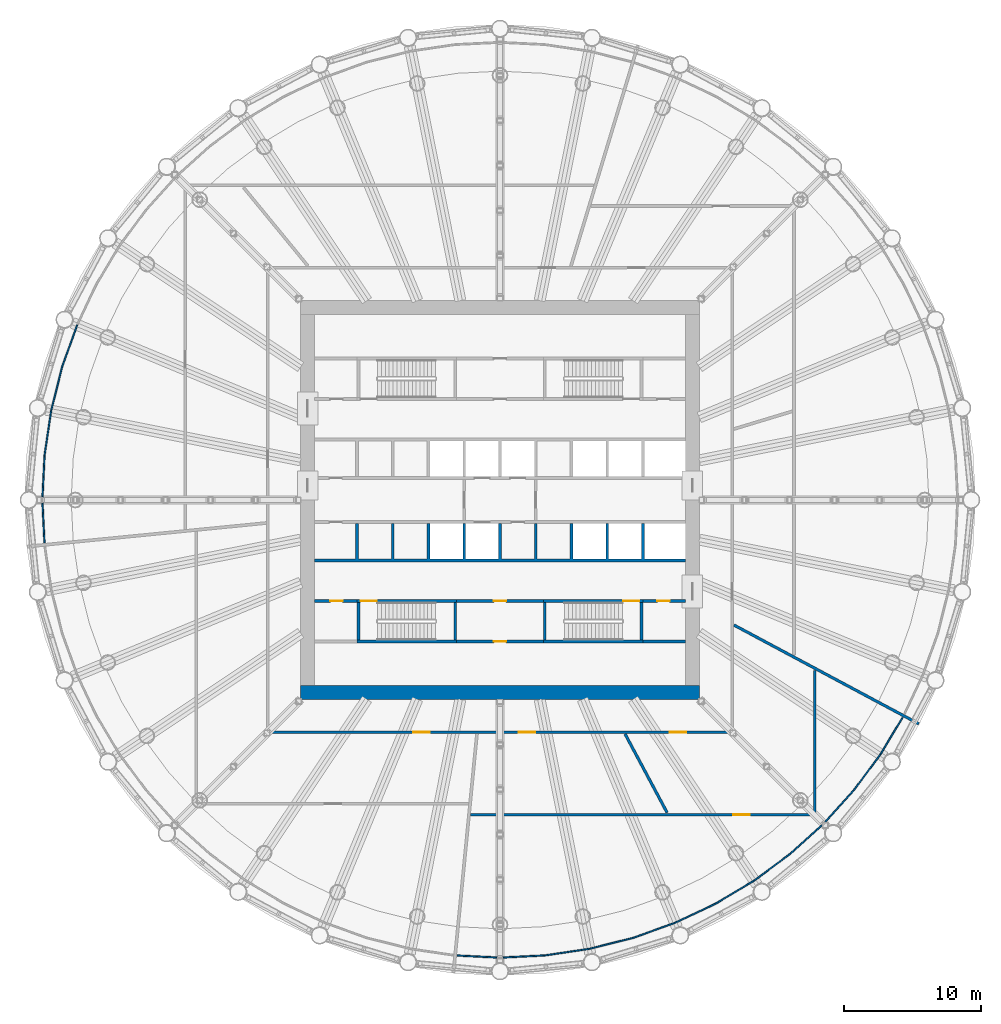
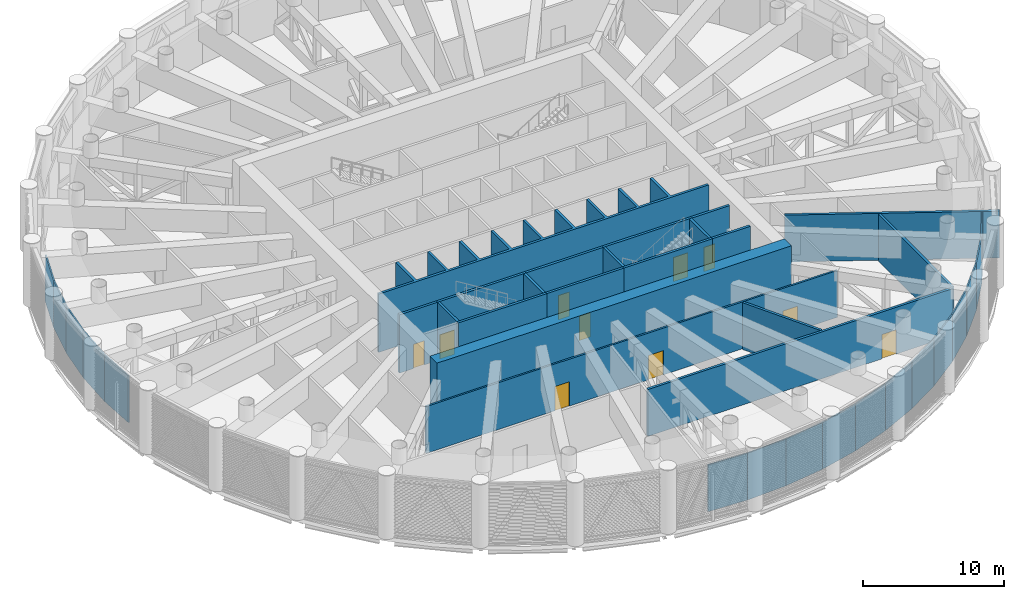
# One storey, part 12 of 29: 37 walls, 10 doors, 10 openings.
"""IFC4 building model written with IfcOpenShell, lengths in metres."""

from ifc_helpers import new_model, si_unit, direction, frame, frame_2d, origin, place, context, subcontext, project, spatial, polyline, rectangle, outline, extrude, material, layer, layer_set, type_object, element, fill, save


model = new_model("IFC4")

# Units and contexts
model_context = context("Model", 3, precision=1e-05, world=origin(), true_north=direction((0.0, 1.0)))
body_context = subcontext(model_context, "Body", "Model", "MODEL_VIEW")
ifc_project = project(units=[si_unit("LENGTHUNIT", "METRE"), si_unit("AREAUNIT", "SQUARE_METRE"), si_unit("VOLUMEUNIT", "CUBIC_METRE"), si_unit("PLANEANGLEUNIT", "RADIAN"), si_unit("MASSUNIT", "GRAM", prefix="KILO")], contexts=[model_context])

# Site, building, storey
site_placement = place(None, origin())
site = spatial("IfcSite", under=ifc_project, at=site_placement, CompositionType="ELEMENT")
building_placement = place(site_placement, origin())
building = spatial("IfcBuilding", under=site, at=building_placement, Name="Corvane Civic Tower", CompositionType="ELEMENT")
storey_placement = place(building_placement, frame((0.0, 0.0, 138.5)))
storey = spatial("IfcBuildingStorey", under=building, at=storey_placement, Name="L32", CompositionType="ELEMENT", Elevation=138.5)

# Wall
ifc_material_1 = material(Name="Concrete C70/85", Category="concrete")
ifc_layer_1 = layer(ifc_material_1, 1.0)
ifc_layer_set_1 = layer_set([ifc_layer_1], Name="Concrete C70/85")
wall_type_1 = type_object("IfcWallType", Name="CORE WALL 1000 C70/85", PredefinedType="SHEAR", material=ifc_layer_set_1)
wall_1_placement = place(storey_placement, frame((-14.5, -14.0, 0.0), z_axis=(0.0, 0.0, 1.0), x_axis=(1.0, 0.0, 0.0)))
element("IfcWall", 1, at=wall_1_placement, inside=storey, type_object=wall_type_1, Name="W-L32-core-S", PredefinedType="SHEAR", context=body_context, shape_type="SweptSolid", body=[
    extrude(rectangle(XDim=29.0, YDim=1.0, at=frame_2d((14.5, 0.0))), origin(), (0.0, 0.0, 1.0), 5.5),
])

# Wall, opening, door
ifc_material_2 = material(Name="Concrete C30/37", Category="concrete")
ifc_layer_2 = layer(ifc_material_2, 0.199951171875)
ifc_layer_set_2 = layer_set([ifc_layer_2], Name="Concrete C30/37")
wall_type_2 = type_object("IfcWallType", Name="CR-WALL-200", PredefinedType="PARTITIONING", material=ifc_layer_set_2)
wall_2_placement = place(storey_placement, frame((-3.14990234375, -10.300048828125, 0.0), z_axis=(0.0, 0.0, 1.0), x_axis=(1.0, 0.0, 0.0)))
wall_2 = element("IfcWall", 2, at=wall_2_placement, inside=storey, type_object=wall_type_2, Name="L32 partition wall", PredefinedType="PARTITIONING", context=body_context, shape_type="SweptSolid", body=[
    extrude(rectangle(XDim=6.2998046875, YDim=0.199951171875, at=frame_2d((3.14990234375, 0.0))), origin(), (0.0, 0.0, 1.0), 5.050048828125),
])
opening_1_placement = place(wall_2_placement, frame((2.699951171875, 0.0, 0.0)))
opening_1 = element("IfcOpeningElement", 3, at=opening_1_placement, cuts=wall_2, Name="Opening L32.C07", PredefinedType="OPENING", context=body_context, shape_type="SweptSolid", body=[
    extrude(rectangle(XDim=0.89990234375, YDim=2.10009765625, at=frame_2d((0.449951171875, 1.050048828125))), frame((0.0, 0.10986328125, 0.0), z_axis=(0.0, -1.0, 0.0), x_axis=(1.0, 0.0, 0.0)), (0.0, 0.0, 1.0), 0.219970703125),
])
ifc_material_3 = material(Name="Steel fire door leaf", Category="steel")
door_type_1 = type_object("IfcDoorType", Name="CR-DOOR-900", OperationType="SINGLE_SWING_LEFT", PredefinedType="DOOR", material=ifc_material_3)
door_1_placement = place(opening_1_placement, origin())
door_1 = element("IfcDoor", 4, at=door_1_placement, inside=storey, type_object=door_type_1, Name="L32 door", OperationType="SINGLE_SWING_LEFT", OverallHeight=2.10009765625, OverallWidth=0.89990234375, PredefinedType="DOOR", context=body_context, shape_type="SweptSolid", body=[
    extrude(rectangle(XDim=0.89990234375, YDim=2.10009765625, at=frame_2d((0.449951171875, 1.050048828125))), frame((0.0, 0.02490234375, 0.0), z_axis=(0.0, -1.0, 0.0), x_axis=(1.0, 0.0, 0.0)), (0.0, 0.0, 1.0), 0.050048828125),
])
fill(opening_1, door_1)

wall_3_placement = place(storey_placement, frame((-13.5, -7.35009765625, 0.0), z_axis=(0.0, 0.0, 1.0), x_axis=(1.0, 0.0, 0.0)))
wall_3 = element("IfcWall", 5, at=wall_3_placement, inside=storey, type_object=wall_type_2, Name="L32 core partition wall", PredefinedType="PARTITIONING", context=body_context, shape_type="SweptSolid", body=[
    extrude(rectangle(XDim=3.10009765625, YDim=0.199951171875, at=frame_2d((1.550048828125, 0.0))), origin(), (0.0, 0.0, 1.0), 5.050048828125),
])
opening_2_placement = place(wall_3_placement, frame((1.14990234375, 0.0, 0.0)))
opening_2 = element("IfcOpeningElement", 6, at=opening_2_placement, cuts=wall_3, Name="Opening L32.C09", PredefinedType="OPENING", context=body_context, shape_type="SweptSolid", body=[
    extrude(rectangle(XDim=0.89990234375, YDim=2.10009765625, at=frame_2d((0.449951171875, 1.050048828125))), frame((0.0, 0.10986328125, 0.0), z_axis=(0.0, -1.0, 0.0), x_axis=(1.0, 0.0, 0.0)), (0.0, 0.0, 1.0), 0.219970703125),
])
door_2_placement = place(opening_2_placement, origin())
door_2 = element("IfcDoor", 7, at=door_2_placement, inside=storey, type_object=door_type_1, Name="L32 door", OperationType="SINGLE_SWING_LEFT", OverallHeight=2.10009765625, OverallWidth=0.89990234375, PredefinedType="DOOR", context=body_context, shape_type="SweptSolid", body=[
    extrude(rectangle(XDim=0.89990234375, YDim=2.10009765625, at=frame_2d((0.449951171875, 1.050048828125))), frame((0.0, 0.02490234375, 0.0), z_axis=(0.0, -1.0, 0.0), x_axis=(1.0, 0.0, 0.0)), (0.0, 0.0, 1.0), 0.050048828125),
])
fill(opening_2, door_2)

wall_4_placement = place(storey_placement, frame((-3.14990234375, -7.35009765625, 0.0), z_axis=(0.0, 0.0, 1.0), x_axis=(1.0, 0.0, 0.0)))
wall_4 = element("IfcWall", 8, at=wall_4_placement, inside=storey, type_object=wall_type_2, Name="L32 core partition wall", PredefinedType="PARTITIONING", context=body_context, shape_type="SweptSolid", body=[
    extrude(rectangle(XDim=6.2998046875, YDim=0.199951171875, at=frame_2d((3.14990234375, 0.0))), origin(), (0.0, 0.0, 1.0), 5.050048828125),
])
opening_3_placement = place(wall_4_placement, frame((2.699951171875, 0.0, 0.0)))
opening_3 = element("IfcOpeningElement", 9, at=opening_3_placement, cuts=wall_4, Name="Opening L32.C05", PredefinedType="OPENING", context=body_context, shape_type="SweptSolid", body=[
    extrude(rectangle(XDim=0.89990234375, YDim=2.10009765625, at=frame_2d((0.449951171875, 1.050048828125))), frame((0.0, 0.10986328125, 0.0), z_axis=(0.0, -1.0, 0.0), x_axis=(1.0, 0.0, 0.0)), (0.0, 0.0, 1.0), 0.219970703125),
])
door_3_placement = place(opening_3_placement, origin())
door_3 = element("IfcDoor", 10, at=door_3_placement, inside=storey, type_object=door_type_1, Name="L32 door", OperationType="SINGLE_SWING_LEFT", OverallHeight=2.10009765625, OverallWidth=0.89990234375, PredefinedType="DOOR", context=body_context, shape_type="SweptSolid", body=[
    extrude(rectangle(XDim=0.89990234375, YDim=2.10009765625, at=frame_2d((0.449951171875, 1.050048828125))), frame((0.0, 0.02490234375, 0.0), z_axis=(0.0, -1.0, 0.0), x_axis=(1.0, 0.0, 0.0)), (0.0, 0.0, 1.0), 0.050048828125),
])
fill(opening_3, door_3)

wall_5_placement = place(storey_placement, frame((10.39990234375, -7.35009765625, 0.0), z_axis=(0.0, 0.0, 1.0), x_axis=(1.0, 0.0, 0.0)))
wall_5 = element("IfcWall", 11, at=wall_5_placement, inside=storey, type_object=wall_type_2, Name="L32 core partition wall", PredefinedType="PARTITIONING", context=body_context, shape_type="SweptSolid", body=[
    extrude(rectangle(XDim=3.10009765625, YDim=0.199951171875, at=frame_2d((1.550048828125, 0.0))), origin(), (0.0, 0.0, 1.0), 5.050048828125),
])
opening_4_placement = place(wall_5_placement, frame((1.050048828125, 0.0, 0.0)))
opening_4 = element("IfcOpeningElement", 12, at=opening_4_placement, cuts=wall_5, Name="Opening L32.C11", PredefinedType="OPENING", context=body_context, shape_type="SweptSolid", body=[
    extrude(rectangle(XDim=0.89990234375, YDim=2.10009765625, at=frame_2d((0.449951171875, 1.050048828125))), frame((0.0, 0.10986328125, 0.0), z_axis=(0.0, -1.0, 0.0), x_axis=(1.0, 0.0, 0.0)), (0.0, 0.0, 1.0), 0.219970703125),
])
door_4_placement = place(opening_4_placement, origin())
door_4 = element("IfcDoor", 13, at=door_4_placement, inside=storey, type_object=door_type_1, Name="L32 door", OperationType="SINGLE_SWING_LEFT", OverallHeight=2.10009765625, OverallWidth=0.89990234375, PredefinedType="DOOR", context=body_context, shape_type="SweptSolid", body=[
    extrude(rectangle(XDim=0.89990234375, YDim=2.10009765625, at=frame_2d((0.449951171875, 1.050048828125))), frame((0.0, 0.02490234375, 0.0), z_axis=(0.0, -1.0, 0.0), x_axis=(1.0, 0.0, 0.0)), (0.0, 0.0, 1.0), 0.050048828125),
])
fill(opening_4, door_4)

# Walls
wall_6_placement = place(storey_placement, origin())
element("IfcWall", 14, at=wall_6_placement, inside=storey, type_object=wall_type_2, Name="L32 core partition wall", PredefinedType="PARTITIONING", context=body_context, shape_type="SweptSolid", body=[
    extrude(outline(polyline([(-10.5, -1.699951171875), (-10.300048828125, -1.699951171875), (-10.300048828125, -4.300048828125), (-7.89990234375, -4.300048828125), (-7.89990234375, -1.699951171875), (-7.699951171875, -1.699951171875), (-7.699951171875, -4.300048828125), (-5.300048828125, -4.300048828125), (-5.300048828125, -1.699951171875), (-5.10009765625, -1.699951171875), (-5.10009765625, -4.300048828125), (-2.699951171875, -4.300048828125), (-2.699951171875, -1.699951171875), (-2.5, -1.699951171875), (-2.5, -4.300048828125), (-0.10009765625, -4.300048828125), (-0.10009765625, -1.699951171875), (0.10009765625, -1.699951171875), (0.10009765625, -4.300048828125), (2.5, -4.300048828125), (2.5, -1.699951171875), (2.699951171875, -1.699951171875), (2.699951171875, -4.300048828125), (5.10009765625, -4.300048828125), (5.10009765625, -1.699951171875), (5.300048828125, -1.699951171875), (5.300048828125, -4.300048828125), (7.699951171875, -4.300048828125), (7.699951171875, -1.699951171875), (7.89990234375, -1.699951171875), (7.89990234375, -4.300048828125), (10.300048828125, -4.300048828125), (10.300048828125, -1.699951171875), (10.5, -1.699951171875), (10.5, -4.300048828125), (13.5, -4.300048828125), (13.5, -4.5), (-13.5, -4.5), (-13.5, -4.300048828125), (-10.5, -4.300048828125), (-10.5, -1.699951171875)])), origin(), (0.0, 0.0, 1.0), 5.050048828125),
])
wall_7_placement = place(storey_placement, origin())
element("IfcWall", 15, at=wall_7_placement, inside=storey, type_object=wall_type_2, Name="L32 core partition wall", PredefinedType="PARTITIONING", context=body_context, shape_type="SweptSolid", body=[
    extrude(outline(polyline([(13.5, -10.39990234375), (10.39990234375, -10.39990234375), (10.39990234375, -10.199951171875), (13.5, -10.199951171875), (13.5, -10.39990234375)])), origin(), (0.0, 0.0, 1.0), 5.050048828125),
])
ifc_material_4 = material(Name="Plasterboard")
ifc_layer_3 = layer(ifc_material_4, 0.10009765625)
ifc_layer_set_3 = layer_set([ifc_layer_3], Name="Plasterboard")
wall_type_3 = type_object("IfcWallType", Name="Partition 100 plasterboard on studs", PredefinedType="PARTITIONING", material=ifc_layer_set_3)
for number, where, z_axis, x_axis, name in (
    (16, (-33.298828125, 0.0, 0.0), (0.0, 0.0, 1.0), (0.049100533508, -0.998793841395, 0.0), "Partition L32.020"),
    (17, (-3.123779296875, -33.145263671875, 0.0), (0.0, 0.0, 1.0), (0.998793841395, -0.049100533508, 0.0), "Partition L32.050"),
):
    element("IfcWall", number, at=place(storey_placement, frame(where, z_axis=z_axis, x_axis=x_axis)), inside=storey, type_object=wall_type_3, Name=name, PredefinedType="PARTITIONING", context=body_context, shape_type="SweptSolid", body=[
        extrude(rectangle(XDim=3.12744140625, YDim=0.10009765625, at=frame_2d((1.563720703125, 0.0))), origin(), (0.0, 0.0, 1.0), 4.050048828125),
    ])
for number, where, z_axis, x_axis, name in (
    (18, (0.0, -33.298828125, 0.0), (0.0, 0.0, 1.0), (0.998794639038, 0.049084305322, 0.0), "Partition L32.052"),
    (19, (3.263916015625, -33.138427734375, 0.0), (0.0, 0.0, 1.0), (0.989176168113, 0.146732779016, 0.0), "Partition L32.054"),
):
    element("IfcWall", number, at=place(storey_placement, frame(where, z_axis=z_axis, x_axis=x_axis)), inside=storey, type_object=wall_type_3, Name=name, PredefinedType="PARTITIONING", context=body_context, shape_type="SweptSolid", body=[
        extrude(rectangle(XDim=3.267822265625, YDim=0.10009765625, at=frame_2d((1.6337890625, 0.0))), origin(), (0.0, 0.0, 1.0), 4.050048828125),
    ])
wall_8_placement = place(storey_placement, frame((6.496337890625, -32.658935546875, 0.0), z_axis=(0.0, 0.0, 1.0), x_axis=(0.970014912495, 0.243045406327, 0.0)))
element("IfcWall", 20, at=wall_8_placement, inside=storey, type_object=wall_type_3, Name="Partition L32.056", PredefinedType="PARTITIONING", context=body_context, shape_type="SweptSolid", body=[
    extrude(rectangle(XDim=3.267578125, YDim=0.10009765625, at=frame_2d((1.6337890625, 0.0))), origin(), (0.0, 0.0, 1.0), 4.050048828125),
])
for number, where, z_axis, x_axis, name in (
    (21, (9.666015625, -31.86474609375, 0.0), (0.0, 0.0, 1.0), (0.94157784202, 0.336795438533, 0.0), "Partition L32.058"),
    (22, (12.742919921875, -30.76416015625, 0.0), (0.0, 0.0, 1.0), (0.903943108971, 0.427652727974, 0.0), "Partition L32.060"),
    (23, (15.69677734375, -29.36669921875, 0.0), (0.0, 0.0, 1.0), (0.857776264254, 0.514023229516, 0.0), "Partition L32.062"),
    (24, (18.499755859375, -27.68701171875, 0.0), (0.0, 0.0, 1.0), (0.803189122882, 0.595724124813, 0.0), "Partition L32.064"),
    (25, (21.12451171875, -25.740234375, 0.0), (0.0, 0.0, 1.0), (0.740923051938, 0.671589927788, 0.0), "Partition L32.066"),
    (26, (23.545654296875, -23.545654296875, 0.0), (0.0, 0.0, 1.0), (0.671589927788, 0.740923051938, 0.0), "Partition L32.068"),
    (27, (25.740234375, -21.12451171875, 0.0), (0.0, 0.0, 1.0), (0.595724124813, 0.803189122882, 0.0), "Partition L32.070"),
):
    element("IfcWall", number, at=place(storey_placement, frame(where, z_axis=z_axis, x_axis=x_axis)), inside=storey, type_object=wall_type_3, Name=name, PredefinedType="PARTITIONING", context=body_context, shape_type="SweptSolid", body=[
        extrude(rectangle(XDim=3.267822265625, YDim=0.10009765625, at=frame_2d((1.6337890625, 0.0))), origin(), (0.0, 0.0, 1.0), 4.050048828125),
    ])
wall_9_placement = place(storey_placement, frame((27.68701171875, -18.499755859375, 0.0), z_axis=(0.0, 0.0, 1.0), x_axis=(0.514047968322, 0.857761439017, 0.0)))
element("IfcWall", 28, at=wall_9_placement, inside=storey, type_object=wall_type_3, Name="Partition L32.072", PredefinedType="PARTITIONING", context=body_context, shape_type="SweptSolid", body=[
    extrude(rectangle(XDim=3.12744140625, YDim=0.10009765625, at=frame_2d((1.563720703125, 0.0))), origin(), (0.0, 0.0, 1.0), 4.050048828125),
])
wall_10_placement = place(storey_placement, frame((-31.86474609375, 9.666015625, 0.0), z_axis=(0.0, 0.0, 1.0), x_axis=(0.336795438533, 0.94157784202, 0.0)))
element("IfcWall", 29, at=wall_10_placement, inside=storey, type_object=wall_type_3, Name="Partition L32.077", PredefinedType="PARTITIONING", context=body_context, shape_type="SweptSolid", body=[
    extrude(rectangle(XDim=3.267822265625, YDim=0.10009765625, at=frame_2d((1.6337890625, 0.0))), origin(), (0.0, 0.0, 1.0), 4.050048828125),
])
wall_11_placement = place(storey_placement, frame((-32.658935546875, 6.496337890625, 0.0), z_axis=(0.0, 0.0, 1.0), x_axis=(0.243045406327, 0.970014912495, 0.0)))
element("IfcWall", 30, at=wall_11_placement, inside=storey, type_object=wall_type_3, Name="Partition L32.079", PredefinedType="PARTITIONING", context=body_context, shape_type="SweptSolid", body=[
    extrude(rectangle(XDim=3.267578125, YDim=0.10009765625, at=frame_2d((1.6337890625, 0.0))), origin(), (0.0, 0.0, 1.0), 4.050048828125),
])
for number, where, z_axis, x_axis, name in (
    (31, (-33.138427734375, 3.263916015625, 0.0), (0.0, 0.0, 1.0), (0.146732779016, 0.989176168113, 0.0), "Partition L32.081"),
    (32, (-33.298828125, 0.0, 0.0), (0.0, 0.0, 1.0), (0.049084305322, 0.998794639038, 0.0), "Partition L32.083"),
):
    element("IfcWall", number, at=place(storey_placement, frame(where, z_axis=z_axis, x_axis=x_axis)), inside=storey, type_object=wall_type_3, Name=name, PredefinedType="PARTITIONING", context=body_context, shape_type="SweptSolid", body=[
        extrude(rectangle(XDim=3.267822265625, YDim=0.10009765625, at=frame_2d((1.6337890625, 0.0))), origin(), (0.0, 0.0, 1.0), 4.050048828125),
    ])

# Wall, opening, door
ifc_material_5 = material(Name="Gypsum fibreboard")
ifc_layer_4 = layer(ifc_material_5, 0.199951171875)
ifc_layer_set_4 = layer_set([ifc_layer_4], Name="Gypsum fibreboard")
wall_type_4 = type_object("IfcWallType", Name="Plant and refuge wall 200 EI 120", PredefinedType="PARTITIONING", material=ifc_layer_set_4)
wall_12_placement = place(storey_placement, frame((-2.14501953125, -22.89990234375, 0.0), z_axis=(0.0, 0.0, 1.0), x_axis=(1.0, 0.0, 0.0)))
wall_12 = element("IfcWall", 33, at=wall_12_placement, inside=storey, type_object=wall_type_4, Name="Partition L32.002", PredefinedType="PARTITIONING", context=body_context, shape_type="SweptSolid", body=[
    extrude(rectangle(XDim=24.945068359375, YDim=0.199951171875, at=frame_2d((12.47265625, 0.0))), origin(), (0.0, 0.0, 1.0), 4.050048828125),
])
opening_5_placement = place(wall_12_placement, frame((19.115234375, 0.0, 0.0)))
opening_5 = element("IfcOpeningElement", 34, at=opening_5_placement, cuts=wall_12, Name="Opening L32.004", PredefinedType="OPENING", context=body_context, shape_type="SweptSolid", body=[
    extrude(rectangle(XDim=1.199951171875, YDim=2.10009765625, at=frame_2d((0.60009765625, 1.050048828125))), frame((0.0, 0.10986328125, 0.0), z_axis=(0.0, -1.0, 0.0), x_axis=(1.0, 0.0, 0.0)), (0.0, 0.0, 1.0), 0.219970703125),
])
ifc_material_6 = material(Name="Steel and timber", Category="steel")
door_type_2 = type_object("IfcDoorType", Name="Fire door FD60 1200", OperationType="NOTDEFINED", PredefinedType="DOOR", material=ifc_material_6)
door_5_placement = place(opening_5_placement, frame((1.199951171875, 0.0, 0.0), z_axis=(0.0, 0.0, 1.0), x_axis=(-1.0, 0.0, 0.0)))
door_5 = element("IfcDoor", 35, at=door_5_placement, inside=storey, type_object=door_type_2, Name="Door L32.004", OperationType="SINGLE_SWING_RIGHT", OverallHeight=2.10009765625, OverallWidth=1.199951171875, PredefinedType="DOOR", context=body_context, shape_type="SweptSolid", body=[
    extrude(rectangle(XDim=1.199951171875, YDim=2.10009765625, at=frame_2d((0.60009765625, 1.050048828125))), frame((0.0, 0.02490234375, 0.0), z_axis=(0.0, -1.0, 0.0), x_axis=(1.0, 0.0, 0.0)), (0.0, 0.0, 1.0), 0.050048828125),
])
fill(opening_5, door_5)

# Walls
wall_13_placement = place(storey_placement, frame((22.89990234375, -22.800048828125, 0.0), z_axis=(0.0, 0.0, 1.0), x_axis=(0.0, 1.0, 0.0)))
element("IfcWall", 36, at=wall_13_placement, inside=storey, type_object=wall_type_4, Name="Partition L32.003", PredefinedType="PARTITIONING", context=body_context, shape_type="SweptSolid", body=[
    extrude(rectangle(XDim=10.39306640625, YDim=0.199951171875, at=frame_2d((5.196533203125, 0.0))), origin(), (0.0, 0.0, 1.0), 4.050048828125),
])
wall_14_placement = place(storey_placement, frame((9.098388671875, -17.022216796875, 0.0), z_axis=(0.0, 0.0, 1.0), x_axis=(0.47140901333, -0.881914702311, 0.0)))
element("IfcWall", 37, at=wall_14_placement, inside=storey, type_object=wall_type_4, Name="Partition L32.004", PredefinedType="PARTITIONING", context=body_context, shape_type="SweptSolid", body=[
    extrude(rectangle(XDim=6.498046875, YDim=0.199951171875, at=frame_2d((3.2490234375, 0.0))), origin(), (0.0, 0.0, 1.0), 4.050048828125),
])
wall_15_placement = place(storey_placement, frame((17.022216796875, -9.098388671875, 0.0), z_axis=(0.0, 0.0, 1.0), x_axis=(0.881914684162, -0.471409047282, 0.0)))
element("IfcWall", 38, at=wall_15_placement, inside=storey, type_object=wall_type_4, Name="Partition L32.010", PredefinedType="PARTITIONING", context=body_context, shape_type="SweptSolid", body=[
    extrude(rectangle(XDim=15.2490234375, YDim=0.199951171875, at=frame_2d((7.62451171875, 0.0))), origin(), (0.0, 0.0, 1.0), 4.050048828125),
])

# Wall, opening, door
ifc_material_7 = material(Name="Concrete C50/60", Category="concrete")
ifc_layer_5 = layer(ifc_material_7, 0.199951171875)
ifc_layer_set_5 = layer_set([ifc_layer_5], Name="Concrete C50/60")
wall_type_5 = type_object("IfcWallType", Name="ST-WALL-200", PredefinedType="SHEAR", material=ifc_layer_set_5)
wall_16_placement = place(storey_placement, frame((-10.39990234375, -7.35009765625, 0.0), z_axis=(0.0, 0.0, 1.0), x_axis=(1.0, 0.0, 0.0)))
wall_16 = element("IfcWall", 39, at=wall_16_placement, inside=storey, type_object=wall_type_5, Name="L32 stair enclosure wall", PredefinedType="SHEAR", context=body_context, shape_type="SweptSolid", body=[
    extrude(rectangle(XDim=7.25, YDim=0.199951171875, at=frame_2d((3.625, 0.0))), origin(), (0.0, 0.0, 1.0), 5.050048828125),
])
opening_6_placement = place(wall_16_placement, frame((0.25, 0.0, 0.0)))
opening_6 = element("IfcOpeningElement", 40, at=opening_6_placement, cuts=wall_16, Name="Opening L32.C15", PredefinedType="OPENING", context=body_context, shape_type="SweptSolid", body=[
    extrude(rectangle(XDim=1.199951171875, YDim=2.10009765625, at=frame_2d((0.60009765625, 1.050048828125))), frame((0.0, 0.10986328125, 0.0), z_axis=(0.0, -1.0, 0.0), x_axis=(1.0, 0.0, 0.0)), (0.0, 0.0, 1.0), 0.219970703125),
])
ifc_material_8 = material(Name="Steel fire door leaf", Category="steel")
door_type_3 = type_object("IfcDoorType", Name="ST-DOOR-1200", OperationType="SINGLE_SWING_RIGHT", PredefinedType="DOOR", material=ifc_material_8)
door_6_placement = place(opening_6_placement, origin())
door_6 = element("IfcDoor", 41, at=door_6_placement, inside=storey, type_object=door_type_3, Name="L32 stair door", OperationType="SINGLE_SWING_RIGHT", OverallHeight=2.10009765625, OverallWidth=1.199951171875, PredefinedType="DOOR", context=body_context, shape_type="SweptSolid", body=[
    extrude(rectangle(XDim=1.199951171875, YDim=2.10009765625, at=frame_2d((0.60009765625, 1.050048828125))), frame((0.0, 0.02490234375, 0.0), z_axis=(0.0, -1.0, 0.0), x_axis=(1.0, 0.0, 0.0)), (0.0, 0.0, 1.0), 0.050048828125),
])
fill(opening_6, door_6)

wall_17_placement = place(storey_placement, frame((3.14990234375, -7.35009765625, 0.0), z_axis=(0.0, 0.0, 1.0), x_axis=(1.0, 0.0, 0.0)))
wall_17 = element("IfcWall", 42, at=wall_17_placement, inside=storey, type_object=wall_type_5, Name="L32 stair enclosure wall", PredefinedType="SHEAR", context=body_context, shape_type="SweptSolid", body=[
    extrude(rectangle(XDim=7.25, YDim=0.199951171875, at=frame_2d((3.625, 0.0))), origin(), (0.0, 0.0, 1.0), 5.050048828125),
])
opening_7_placement = place(wall_17_placement, frame((5.800048828125, 0.0, 0.0)))
opening_7 = element("IfcOpeningElement", 43, at=opening_7_placement, cuts=wall_17, Name="Opening L32.C14", PredefinedType="OPENING", context=body_context, shape_type="SweptSolid", body=[
    extrude(rectangle(XDim=1.199951171875, YDim=2.10009765625, at=frame_2d((0.60009765625, 1.050048828125))), frame((0.0, 0.10986328125, 0.0), z_axis=(0.0, -1.0, 0.0), x_axis=(1.0, 0.0, 0.0)), (0.0, 0.0, 1.0), 0.219970703125),
])
door_7_placement = place(opening_7_placement, origin())
door_7 = element("IfcDoor", 44, at=door_7_placement, inside=storey, type_object=door_type_3, Name="L32 stair door", OperationType="SINGLE_SWING_RIGHT", OverallHeight=2.10009765625, OverallWidth=1.199951171875, PredefinedType="DOOR", context=body_context, shape_type="SweptSolid", body=[
    extrude(rectangle(XDim=1.199951171875, YDim=2.10009765625, at=frame_2d((0.60009765625, 1.050048828125))), frame((0.0, 0.02490234375, 0.0), z_axis=(0.0, -1.0, 0.0), x_axis=(1.0, 0.0, 0.0)), (0.0, 0.0, 1.0), 0.050048828125),
])
fill(opening_7, door_7)

# Walls
wall_18_placement = place(storey_placement, origin())
element("IfcWall", 45, at=wall_18_placement, inside=storey, type_object=wall_type_5, Name="L32 stair enclosure wall", PredefinedType="SHEAR", context=body_context, shape_type="SweptSolid", body=[
    extrude(outline(polyline([(-3.14990234375, -10.199951171875), (-3.14990234375, -10.39990234375), (-10.39990234375, -10.39990234375), (-10.39990234375, -10.199951171875), (-3.14990234375, -10.199951171875)])), origin(), (0.0, 0.0, 1.0), 5.050048828125),
])
wall_19_placement = place(storey_placement, origin())
element("IfcWall", 46, at=wall_19_placement, inside=storey, type_object=wall_type_5, Name="L32 stair enclosure wall", PredefinedType="SHEAR", context=body_context, shape_type="SweptSolid", body=[
    extrude(outline(polyline([(10.39990234375, -10.39990234375), (3.14990234375, -10.39990234375), (3.14990234375, -10.199951171875), (10.39990234375, -10.199951171875), (10.39990234375, -10.39990234375)])), origin(), (0.0, 0.0, 1.0), 5.050048828125),
])
wall_20_placement = place(storey_placement, origin())
element("IfcWall", 47, at=wall_20_placement, inside=storey, type_object=wall_type_5, Name="L32 stair enclosure wall", PredefinedType="SHEAR", context=body_context, shape_type="SweptSolid", body=[
    extrude(outline(polyline([(-3.14990234375, -7.449951171875), (-3.14990234375, -10.199951171875), (-3.35009765625, -10.199951171875), (-3.35009765625, -7.449951171875), (-3.14990234375, -7.449951171875)])), origin(), (0.0, 0.0, 1.0), 5.050048828125),
])
wall_21_placement = place(storey_placement, origin())
element("IfcWall", 48, at=wall_21_placement, inside=storey, type_object=wall_type_5, Name="L32 stair enclosure wall", PredefinedType="SHEAR", context=body_context, shape_type="SweptSolid", body=[
    extrude(outline(polyline([(3.35009765625, -7.449951171875), (3.35009765625, -10.199951171875), (3.14990234375, -10.199951171875), (3.14990234375, -7.449951171875), (3.35009765625, -7.449951171875)])), origin(), (0.0, 0.0, 1.0), 5.050048828125),
])
wall_22_placement = place(storey_placement, origin())
element("IfcWall", 49, at=wall_22_placement, inside=storey, type_object=wall_type_5, Name="L32 stair enclosure wall", PredefinedType="SHEAR", context=body_context, shape_type="SweptSolid", body=[
    extrude(outline(polyline([(-10.199951171875, -7.449951171875), (-10.199951171875, -10.199951171875), (-10.39990234375, -10.199951171875), (-10.39990234375, -7.449951171875), (-10.199951171875, -7.449951171875)])), origin(), (0.0, 0.0, 1.0), 5.050048828125),
])
wall_23_placement = place(storey_placement, origin())
element("IfcWall", 50, at=wall_23_placement, inside=storey, type_object=wall_type_5, Name="L32 stair enclosure wall", PredefinedType="SHEAR", context=body_context, shape_type="SweptSolid", body=[
    extrude(outline(polyline([(10.39990234375, -7.449951171875), (10.39990234375, -10.199951171875), (10.199951171875, -10.199951171875), (10.199951171875, -7.449951171875), (10.39990234375, -7.449951171875)])), origin(), (0.0, 0.0, 1.0), 5.050048828125),
])

# Wall, openings, doors
ifc_material_9 = material(Name="Plasterboard")
ifc_layer_6 = layer(ifc_material_9, 0.14990234375)
ifc_layer_set_6 = layer_set([ifc_layer_6], Name="Plasterboard")
wall_type_6 = type_object("IfcWallType", Name="Tenancy wall 150 EI 60", PredefinedType="PARTITIONING", material=ifc_layer_set_6)
wall_24_placement = place(storey_placement, frame((-16.824951171875, -16.89990234375, 0.0), z_axis=(0.0, 0.0, 1.0), x_axis=(1.0, 0.0, 0.0)))
wall_24 = element("IfcWall", 51, at=wall_24_placement, inside=storey, type_object=wall_type_6, Name="Partition L32.007", PredefinedType="PARTITIONING", context=body_context, shape_type="SweptSolid", body=[
    extrude(rectangle(XDim=33.64990234375, YDim=0.14990234375, at=frame_2d((16.824951171875, 0.0))), origin(), (0.0, 0.0, 1.0), 4.050048828125),
])
opening_8_placement = place(wall_24_placement, frame((29.1865234375, 0.0, 0.0)))
opening_8 = element("IfcOpeningElement", 52, at=opening_8_placement, cuts=wall_24, Name="Opening L32.005", PredefinedType="OPENING", context=body_context, shape_type="SweptSolid", body=[
    extrude(rectangle(XDim=1.199951171875, YDim=2.10009765625, at=frame_2d((0.60009765625, 1.050048828125))), frame((0.0, 0.0849609375, 0.0), z_axis=(0.0, -1.0, 0.0), x_axis=(1.0, 0.0, 0.0)), (0.0, 0.0, 1.0), 0.169921875),
])
opening_9_placement = place(wall_24_placement, frame((18.197509765625, 0.0, 0.0)))
opening_9 = element("IfcOpeningElement", 53, at=opening_9_placement, cuts=wall_24, Name="Opening L32.006", PredefinedType="OPENING", context=body_context, shape_type="SweptSolid", body=[
    extrude(rectangle(XDim=1.199951171875, YDim=2.10009765625, at=frame_2d((0.60009765625, 1.050048828125))), frame((0.0, 0.0849609375, 0.0), z_axis=(0.0, -1.0, 0.0), x_axis=(1.0, 0.0, 0.0)), (0.0, 0.0, 1.0), 0.169921875),
])
opening_10_placement = place(wall_24_placement, frame((10.524169921875, 0.0, 0.0)))
opening_10 = element("IfcOpeningElement", 54, at=opening_10_placement, cuts=wall_24, Name="Opening L32.008", PredefinedType="OPENING", context=body_context, shape_type="SweptSolid", body=[
    extrude(rectangle(XDim=1.199951171875, YDim=2.10009765625, at=frame_2d((0.60009765625, 1.050048828125))), frame((0.0, 0.0849609375, 0.0), z_axis=(0.0, -1.0, 0.0), x_axis=(1.0, 0.0, 0.0)), (0.0, 0.0, 1.0), 0.169921875),
])
door_8_placement = place(opening_8_placement, frame((1.199951171875, 0.0, 0.0), z_axis=(0.0, 0.0, 1.0), x_axis=(-1.0, 0.0, 0.0)))
door_8 = element("IfcDoor", 55, at=door_8_placement, inside=storey, type_object=door_type_2, Name="Door L32.005", OperationType="SINGLE_SWING_LEFT", OverallHeight=2.10009765625, OverallWidth=1.199951171875, PredefinedType="DOOR", context=body_context, shape_type="SweptSolid", body=[
    extrude(rectangle(XDim=1.199951171875, YDim=2.10009765625, at=frame_2d((0.60009765625, 1.050048828125))), frame((0.0, 0.02490234375, 0.0), z_axis=(0.0, -1.0, 0.0), x_axis=(1.0, 0.0, 0.0)), (0.0, 0.0, 1.0), 0.050048828125),
])
fill(opening_8, door_8)
door_9_placement = place(opening_9_placement, frame((1.199951171875, 0.0, 0.0), z_axis=(0.0, 0.0, 1.0), x_axis=(-1.0, 0.0, 0.0)))
door_9 = element("IfcDoor", 56, at=door_9_placement, inside=storey, type_object=door_type_2, Name="Door L32.006", OperationType="SINGLE_SWING_LEFT", OverallHeight=2.10009765625, OverallWidth=1.199951171875, PredefinedType="DOOR", context=body_context, shape_type="SweptSolid", body=[
    extrude(rectangle(XDim=1.199951171875, YDim=2.10009765625, at=frame_2d((0.60009765625, 1.050048828125))), frame((0.0, 0.02490234375, 0.0), z_axis=(0.0, -1.0, 0.0), x_axis=(1.0, 0.0, 0.0)), (0.0, 0.0, 1.0), 0.050048828125),
])
fill(opening_9, door_9)
door_10_placement = place(opening_10_placement, frame((1.199951171875, 0.0, 0.0), z_axis=(0.0, 0.0, 1.0), x_axis=(-1.0, 0.0, 0.0)))
door_10 = element("IfcDoor", 57, at=door_10_placement, inside=storey, type_object=door_type_2, Name="Door L32.008", OperationType="SINGLE_SWING_LEFT", OverallHeight=2.10009765625, OverallWidth=1.199951171875, PredefinedType="DOOR", context=body_context, shape_type="SweptSolid", body=[
    extrude(rectangle(XDim=1.199951171875, YDim=2.10009765625, at=frame_2d((0.60009765625, 1.050048828125))), frame((0.0, 0.02490234375, 0.0), z_axis=(0.0, -1.0, 0.0), x_axis=(1.0, 0.0, 0.0)), (0.0, 0.0, 1.0), 0.050048828125),
])
fill(opening_10, door_10)

save(model, "model.ifc")
